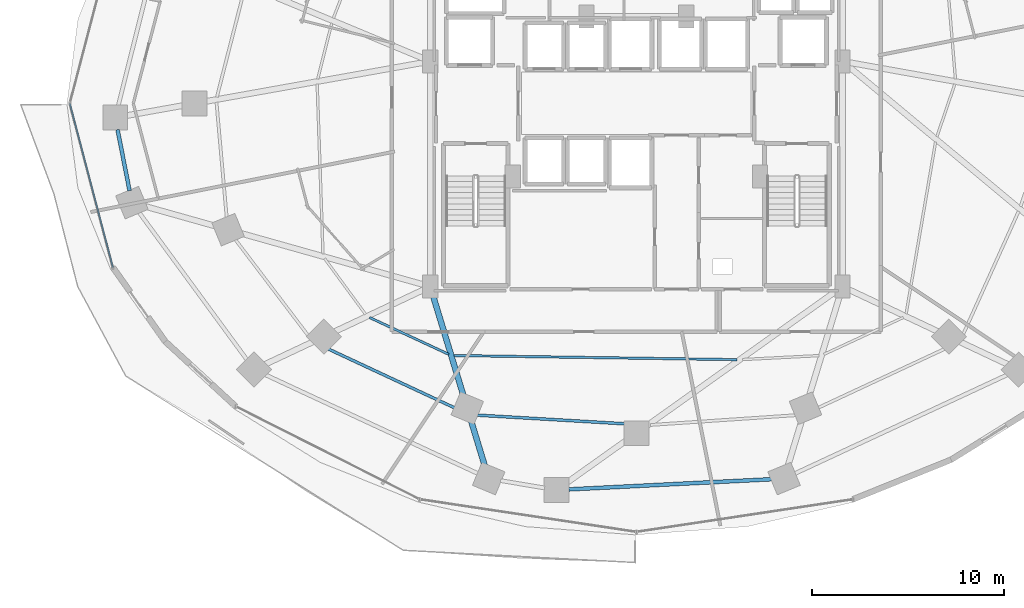
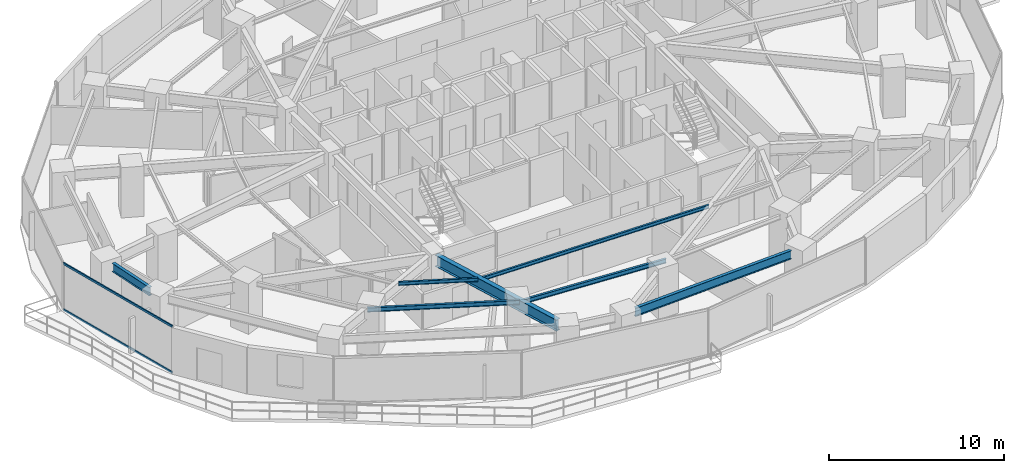
# One storey, part 6 of 33: 7 beams, 2 members, 1 element without a shape of its own.
"""IFC4 building model written with IfcOpenShell, lengths in metres."""

from ifc_helpers import new_model, si_unit, direction, frame, origin, origin_2d, place, context, subcontext, project, spatial, hollow_rectangle, i_section, extrude, material, material_profile, profile_set, type_object, element, aggregate, save


model = new_model("IFC4")

# Units and contexts
model_context = context("Model", 3, precision=1e-05, world=origin(), true_north=direction((0.0, 1.0)))
body_context = subcontext(model_context, "Body", "Model", "MODEL_VIEW")
ifc_project = project(units=[si_unit("LENGTHUNIT", "METRE"), si_unit("AREAUNIT", "SQUARE_METRE"), si_unit("VOLUMEUNIT", "CUBIC_METRE"), si_unit("PLANEANGLEUNIT", "RADIAN"), si_unit("MASSUNIT", "GRAM", prefix="KILO")], contexts=[model_context])

# Site, building, storey
site_placement = place(None, origin())
site = spatial("IfcSite", under=ifc_project, at=site_placement, CompositionType="ELEMENT")
building_placement = place(site_placement, origin())
building = spatial("IfcBuilding", under=site, at=building_placement, Name="Vorneva Point Tower", CompositionType="ELEMENT")
storey_placement = place(building_placement, frame((0.0, 0.0, 38.0)))
storey = spatial("IfcBuildingStorey", under=building, at=storey_placement, Name="L09", CompositionType="ELEMENT", Elevation=38.0)

# Beams
ifc_material_1 = material(Name="Steel S355", Category="steel")
ifc_material_profile_1 = material_profile(ifc_material_1, i_section(OverallWidth=0.300048828125, OverallDepth=0.7880859375, WebThickness=0.014404296875, FlangeThickness=0.02197265625, at=origin_2d()), Name="80Sh1")
ifc_profile_set_1 = profile_set([ifc_material_profile_1], Name="Steel S355")
beam_type_1 = type_object("IfcBeamType", Name="BM-GRD-80Sh1", PredefinedType="USERDEFINED", material=ifc_profile_set_1)
beam_1_placement = place(storey_placement, frame((30.111083984375, 7.045654296875, 2.845947265625), z_axis=(-0.29104183924, 0.956710325967, 0.0), x_axis=(-0.956710325967, -0.29104183924, 0.0)))
element("IfcBeam", 1, at=beam_1_placement, inside=storey, type_object=beam_type_1, Name="L09 Radial Primary Girder 12", ObjectType="GIRDER", PredefinedType="USERDEFINED", context=body_context, shape_type="SweptSolid", body=[
    extrude(i_section(OverallWidth=0.300048828125, OverallDepth=0.7880859375, WebThickness=0.014404296875, FlangeThickness=0.02197265625, at=origin_2d()), origin(), (0.0, 0.0, 1.0), 9.489990234375),
])
ifc_material_profile_2 = material_profile(ifc_material_1, i_section(OverallWidth=0.1240234375, OverallDepth=0.248046875, WebThickness=0.0048828125, FlangeThickness=0.008056640625, at=origin_2d()), Name="25B1")
ifc_profile_set_2 = profile_set([ifc_material_profile_2], Name="Steel S355")
beam_type_2 = type_object("IfcBeamType", Name="BM-JST-25B1", PredefinedType="JOIST", material=ifc_profile_set_2)
beam_2_placement = place(storey_placement, frame((24.078125, 14.839599609375, 3.115966796875), z_axis=(0.906750590893, -0.421667364063, 0.0), x_axis=(0.421667364063, 0.906750590893, 0.0)))
element("IfcBeam", 2, at=beam_2_placement, inside=storey, type_object=beam_type_2, Name="L09 Secondary Floor Beam 2.11", PredefinedType="JOIST", context=body_context, shape_type="SweptSolid", body=[
    extrude(i_section(OverallWidth=0.1240234375, OverallDepth=0.248046875, WebThickness=0.0048828125, FlangeThickness=0.008056640625, at=origin_2d()), origin(), (0.0, 0.0, 1.0), 4.56591796875),
])
beam_3_placement = place(storey_placement, frame((28.4814453125, 12.854248046875, 3.115966796875), z_axis=(0.999894266609, -0.014541513049, 0.0), x_axis=(0.014541513049, 0.999894266609, 0.0)))
element("IfcBeam", 3, at=beam_3_placement, inside=storey, type_object=beam_type_2, Name="L09 Secondary Floor Beam 2.12", PredefinedType="JOIST", context=body_context, shape_type="SweptSolid", body=[
    extrude(i_section(OverallWidth=0.1240234375, OverallDepth=0.248046875, WebThickness=0.0048828125, FlangeThickness=0.008056640625, at=origin_2d()), origin(), (0.0, 0.0, 1.0), 14.7744140625),
])
ifc_material_profile_3 = material_profile(ifc_material_1, i_section(OverallWidth=0.14892578125, OverallDepth=0.298095703125, WebThickness=0.005615234375, FlangeThickness=0.008056640625, at=origin_2d()), Name="30B1")
ifc_profile_set_3 = profile_set([ifc_material_profile_3], Name="Steel S355")
beam_type_3 = type_object("IfcBeamType", Name="BM-JST-30B1", PredefinedType="JOIST", material=ifc_profile_set_3)
beam_4_placement = place(storey_placement, frame((21.2548828125, 13.510498046875, 3.091064453125), z_axis=(0.906403355504, -0.422413253971, 0.0), x_axis=(0.422413253971, 0.906403355504, 0.0)))
element("IfcBeam", 4, at=beam_4_placement, inside=storey, type_object=beam_type_3, Name="L09 Secondary Floor Beam 1.11", PredefinedType="JOIST", context=body_context, shape_type="SweptSolid", body=[
    extrude(i_section(OverallWidth=0.14892578125, OverallDepth=0.298095703125, WebThickness=0.005615234375, FlangeThickness=0.008056640625, at=origin_2d()), origin(), (0.0, 0.0, 1.0), 8.718505859375),
])
beam_5_placement = place(storey_placement, frame((29.42041015625, 9.76123046875, 3.091064453125), z_axis=(0.998280877654, -0.058611341146, 0.0), x_axis=(0.058611341146, 0.998280877654, 0.0)))
element("IfcBeam", 5, at=beam_5_placement, inside=storey, type_object=beam_type_3, Name="L09 Secondary Floor Beam 1.12", PredefinedType="JOIST", context=body_context, shape_type="SweptSolid", body=[
    extrude(i_section(OverallWidth=0.14892578125, OverallDepth=0.298095703125, WebThickness=0.005615234375, FlangeThickness=0.008056640625, at=origin_2d()), origin(), (0.0, 0.0, 1.0), 9.051513671875),
])
ifc_material_profile_4 = material_profile(ifc_material_1, i_section(OverallWidth=0.198974609375, OverallDepth=0.595947265625, WebThickness=0.010009765625, FlangeThickness=0.014892578125, at=origin_2d()), Name="60B1")
ifc_profile_set_4 = profile_set([ifc_material_profile_4], Name="Steel S355")
beam_type_4 = type_object("IfcBeamType", Name="BM-SPN-60B1", PredefinedType="SPANDREL", material=ifc_profile_set_4)
beam_6_placement = place(storey_placement, frame((10.940185546875, 24.6376953125, 2.94189453125), z_axis=(0.192701334008, -0.981257456467, 0.0), x_axis=(0.981257456467, 0.192701334008, 0.0)))
element("IfcBeam", 6, at=beam_6_placement, inside=storey, type_object=beam_type_4, Name="L09 Perimeter Spandrel Ring Beam 09", PredefinedType="SPANDREL", context=body_context, shape_type="SweptSolid", body=[
    extrude(i_section(OverallWidth=0.198974609375, OverallDepth=0.595947265625, WebThickness=0.010009765625, FlangeThickness=0.014892578125, at=origin_2d()), origin(), (0.0, 0.0, 1.0), 3.245849609375),
])
beam_7_placement = place(storey_placement, frame((34.474609375, 5.87158203125, 2.94189453125), z_axis=(0.998742793008, 0.050128169866, 0.0), x_axis=(-0.050128169866, 0.998742793008, 0.0)))
element("IfcBeam", 7, at=beam_7_placement, inside=storey, type_object=beam_type_4, Name="L09 Perimeter Spandrel Ring Beam 13", PredefinedType="SPANDREL", context=body_context, shape_type="SweptSolid", body=[
    extrude(i_section(OverallWidth=0.198974609375, OverallDepth=0.595947265625, WebThickness=0.010009765625, FlangeThickness=0.014892578125, at=origin_2d()), origin(), (0.0, 0.0, 1.0), 10.607666015625),
])

# Curtain wall, members
ifc_material_2 = material(Name="Pale anodised aluminium", Category="aluminium")
curtain_wall_type = type_object("IfcCurtainWallType", Name="CW-HTL-SYS", PredefinedType="NOTDEFINED", material=ifc_material_2)
curtain_wall_placement = place(storey_placement, origin())
curtain_wall = element("IfcCurtainWall", 8, at=curtain_wall_placement, inside=storey, type_object=curtain_wall_type, Name="L09 Unitised Curtain Wall CW-L09-R03", PredefinedType="NOTDEFINED")
ifc_material_profile_5 = material_profile(ifc_material_2, hollow_rectangle(XDim=0.074951171875, YDim=0.14990234375, WallThickness=0.00390625, at=origin_2d()), Name="AL-TRN 150x75x4")
ifc_profile_set_5 = profile_set([ifc_material_profile_5], Name="Pale anodised aluminium")
member_type = type_object("IfcMemberType", Name="CW-TRN-150", PredefinedType="USERDEFINED", material=ifc_profile_set_5)
member_1_placement = place(storey_placement, frame((8.449951171875, 26.0, 0.02001953125), z_axis=(0.254358772746, -0.967109928978, 0.0), x_axis=(0.967109928978, 0.254358772746, 0.0)))
member_1 = element("IfcMember", 9, at=member_1_placement, type_object=member_type, Name="CW-L09-R03 Transom 03.1", ObjectType="TRANSOM", PredefinedType="USERDEFINED", context=body_context, shape_type="SweptSolid", body=[
    extrude(hollow_rectangle(XDim=0.074951171875, YDim=0.14990234375, WallThickness=0.00390625, at=origin_2d()), origin(), (0.0, 0.0, 1.0), 8.84375),
])
member_2_placement = place(storey_placement, frame((8.449951171875, 26.0, 3.219970703125), z_axis=(0.254358772746, -0.967109928978, 0.0), x_axis=(0.967109928978, 0.254358772746, 0.0)))
member_2 = element("IfcMember", 10, at=member_2_placement, type_object=member_type, Name="CW-L09-R03 Transom 03.2", ObjectType="TRANSOM", PredefinedType="USERDEFINED", context=body_context, shape_type="SweptSolid", body=[
    extrude(hollow_rectangle(XDim=0.074951171875, YDim=0.14990234375, WallThickness=0.00390625, at=origin_2d()), origin(), (0.0, 0.0, 1.0), 8.84375),
])
aggregate(curtain_wall, [member_1, member_2])

save(model, "model.ifc")
